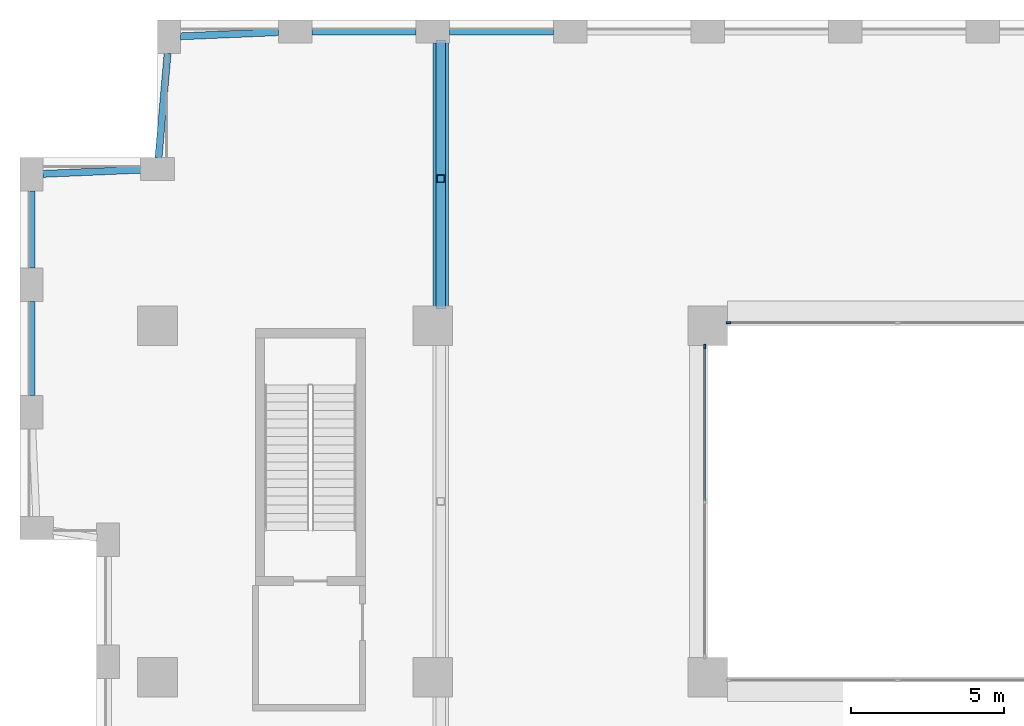
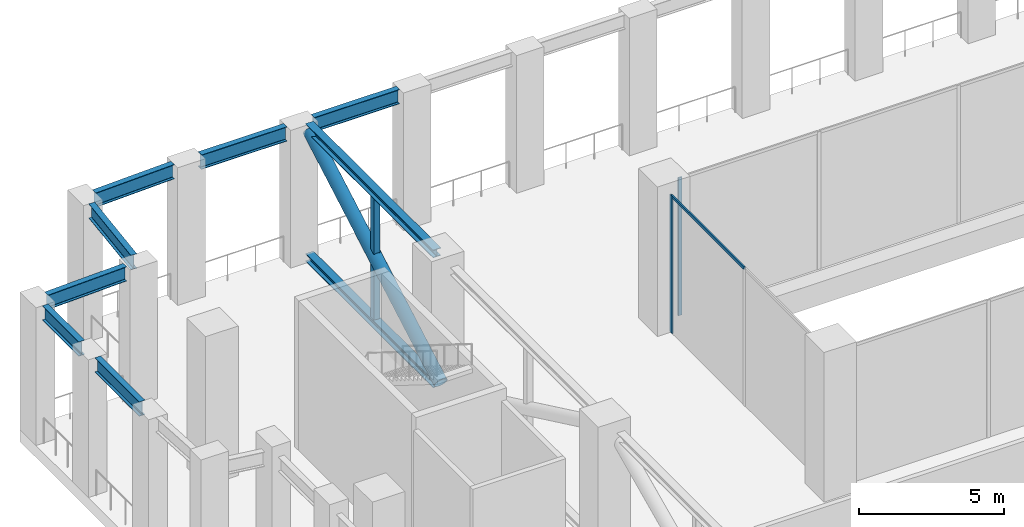
# One storey, part 6 of 14: 8 members, 7 beams, 2 elements without a shape of their own.
"""IFC4 building model written with IfcOpenShell, lengths in metres."""

from ifc_helpers import new_model, si_unit, direction, frame, origin, origin_2d, place, context, subcontext, project, spatial, rectangle, hollow_rectangle, hollow_circle, i_section, extrude, material, layer, layer_set, material_profile, profile_set, type_object, element, aggregate, save


model = new_model("IFC4")

# Units and contexts
model_context = context("Model", 3, precision=1e-05, world=origin(), true_north=direction((0.0, 1.0)))
body_context = subcontext(model_context, "Body", "Model", "MODEL_VIEW")
ifc_project = project(units=[si_unit("LENGTHUNIT", "METRE"), si_unit("AREAUNIT", "SQUARE_METRE"), si_unit("VOLUMEUNIT", "CUBIC_METRE"), si_unit("PLANEANGLEUNIT", "RADIAN"), si_unit("MASSUNIT", "GRAM", prefix="KILO")], contexts=[model_context])

# Site, building, storey
site_placement = place(None, origin())
site = spatial("IfcSite", under=ifc_project, at=site_placement, CompositionType="ELEMENT")
building_placement = place(site_placement, origin())
building = spatial("IfcBuilding", under=site, at=building_placement, Name="Brigalow Station Residences", CompositionType="ELEMENT")
storey_placement = place(building_placement, frame((0.0, 0.0, 130.800048828125)))
storey = spatial("IfcBuildingStorey", under=building, at=storey_placement, Name="L38", CompositionType="ELEMENT", Elevation=130.800048828125)

# Curtain wall, member
ifc_material_1 = material(Name="Aluminium", Category="aluminium")
ifc_layer = layer(ifc_material_1, 0.14990234375)
ifc_layer_set = layer_set([ifc_layer], Name="ATRIUM FIRE-RATED GLAZING CURTAIN WALL")
curtain_wall_type = type_object("IfcCurtainWallType", Name="ATRIUM FIRE-RATED GLAZING CURTAIN WALL", PredefinedType="NOTDEFINED", material=ifc_layer_set)
curtain_wall_1_placement = place(storey_placement, origin())
curtain_wall_1 = element("IfcCurtainWall", 1, at=curtain_wall_1_placement, inside=storey, type_object=curtain_wall_type, Name="L38/cw/atrium-N", PredefinedType="NOTDEFINED")
ifc_material_2 = material(Name="Aluminium", Category="aluminium")
ifc_material_profile_1 = material_profile(ifc_material_2, rectangle(XDim=0.06005859375, YDim=0.14990234375, at=origin_2d()), Name="ATRIUM FIRE-RATED GLAZING MULLION 60x150")
ifc_profile_set_1 = profile_set([ifc_material_profile_1], Name="Aluminium")
member_type_1 = type_object("IfcMemberType", Name="ATRIUM FIRE-RATED GLAZING MULLION 60x150", PredefinedType="MULLION", material=ifc_profile_set_1)
member_1_placement = place(storey_placement, frame((27.679931640625, 35.60009765625, 0.0), z_axis=(0.0, 0.0, 1.0), x_axis=(0.0, -1.0, 0.0)))
member_1 = element("IfcMember", 2, at=member_1_placement, type_object=member_type_1, Name="L38/cw/atrium-N/M03", PredefinedType="MULLION", context=body_context, shape_type="SweptSolid", body=[
    extrude(rectangle(XDim=0.06005859375, YDim=0.14990234375, at=origin_2d()), origin(), (0.0, 0.0, 1.0), 5.800048828125),
])
aggregate(curtain_wall_1, [member_1])

# Curtain wall, members
curtain_wall_2_placement = place(storey_placement, origin())
curtain_wall_2 = element("IfcCurtainWall", 3, at=curtain_wall_2_placement, inside=storey, type_object=curtain_wall_type, Name="L38/cw/atrium-W", PredefinedType="NOTDEFINED")
member_2_placement = place(storey_placement, frame((26.89990234375, 34.820068359375, 0.0), z_axis=(0.0, 0.0, 1.0), x_axis=(1.0, 0.0, 0.0)))
member_2 = element("IfcMember", 4, at=member_2_placement, type_object=member_type_1, Name="L38/cw/atrium-W/M00", PredefinedType="MULLION", context=body_context, shape_type="SweptSolid", body=[
    extrude(rectangle(XDim=0.06005859375, YDim=0.14990234375, at=origin_2d()), origin(), (0.0, 0.0, 1.0), 5.800048828125),
])
ifc_material_3 = material(Name="Aluminium", Category="aluminium")
ifc_material_profile_2 = material_profile(ifc_material_3, rectangle(XDim=0.06005859375, YDim=0.1201171875, at=origin_2d()), Name="ATRIUM FIRE-RATED GLAZING TRANSOM 60x120")
ifc_profile_set_2 = profile_set([ifc_material_profile_2], Name="Aluminium")
member_type_2 = type_object("IfcMemberType", Name="ATRIUM FIRE-RATED GLAZING TRANSOM 60x120", PredefinedType="USERDEFINED", material=ifc_profile_set_2)
member_3_placement = place(storey_placement, frame((26.89990234375, 34.7900390625, 5.77001953125), z_axis=(0.0, -1.0, 0.0), x_axis=(1.0, 0.0, 0.0)))
member_3 = element("IfcMember", 5, at=member_3_placement, type_object=member_type_2, Name="L38/cw/atrium-W/T00-00", ObjectType="TRANSOM", PredefinedType="USERDEFINED", context=body_context, shape_type="SweptSolid", body=[
    extrude(rectangle(XDim=0.06005859375, YDim=0.1201171875, at=origin_2d()), origin(), (0.0, 0.0, 1.0), 5.010009765625),
])
aggregate(curtain_wall_2, [member_2, member_3])

# Beams
ifc_material_4 = material(Name="Steel Grade 300 to AS/NZS 3679.1", Category="steel")
ifc_material_profile_3 = material_profile(ifc_material_4, i_section(OverallWidth=0.22900390625, OverallDepth=0.611572265625, WebThickness=0.011962890625, FlangeThickness=0.01953125, FilletRadius=0.013916015625, at=origin_2d()), Name="610UB125")
ifc_profile_set_3 = profile_set([ifc_material_profile_3], Name="Steel Grade 300 to AS/NZS 3679.1")
beam_type = type_object("IfcBeamType", Name="BELT GIRDER 610UB125", PredefinedType="USERDEFINED", material=ifc_profile_set_3)
for number, where, z_axis, x_axis, name in (
    (6, (21.949951171875, 45.125, 5.494140625), (-1.0, 0.0, 0.0), (0.0, -1.0, 0.0), "BELT GIRDER 31 L38"),
    (7, (17.449951171875, 45.125, 5.494140625), (-1.0, 0.0, 0.0), (0.0, -1.0, 0.0), "BELT GIRDER 32 L38"),
):
    element("IfcBeam", number, at=place(storey_placement, frame(where, z_axis=z_axis, x_axis=x_axis)), inside=storey, type_object=beam_type, Name=name, ObjectType="BELT GIRDER", PredefinedType="USERDEFINED", context=body_context, shape_type="SweptSolid", body=[
        extrude(i_section(OverallWidth=0.22900390625, OverallDepth=0.611572265625, WebThickness=0.011962890625, FlangeThickness=0.01953125, FilletRadius=0.013916015625, at=origin_2d()), origin(), (0.0, 0.0, 1.0), 3.39990234375),
    ])
beam_1_placement = place(storey_placement, frame((12.955078125, 45.101806640625, 5.494140625), z_axis=(-0.999103857831, -0.042325893582, 0.0), x_axis=(0.042325893582, -0.999103857831, 0.0)))
element("IfcBeam", 8, at=beam_1_placement, inside=storey, type_object=beam_type, Name="BELT GIRDER 33 L38", ObjectType="BELT GIRDER", PredefinedType="USERDEFINED", context=body_context, shape_type="SweptSolid", body=[
    extrude(i_section(OverallWidth=0.22900390625, OverallDepth=0.611572265625, WebThickness=0.011962890625, FlangeThickness=0.01953125, FilletRadius=0.013916015625, at=origin_2d()), origin(), (0.0, 0.0, 1.0), 3.212890625),
])
beam_2_placement = place(storey_placement, frame((9.328125, 44.409912109375, 5.494140625), z_axis=(-0.086341124903, -0.996265632324, 0.0), x_axis=(0.996265632324, -0.086341124903, 0.0)))
element("IfcBeam", 9, at=beam_2_placement, inside=storey, type_object=beam_type, Name="BELT GIRDER 34 L38", ObjectType="BELT GIRDER", PredefinedType="USERDEFINED", context=body_context, shape_type="SweptSolid", body=[
    extrude(i_section(OverallWidth=0.22900390625, OverallDepth=0.611572265625, WebThickness=0.011962890625, FlangeThickness=0.01953125, FilletRadius=0.013916015625, at=origin_2d()), origin(), (0.0, 0.0, 1.0), 3.432861328125),
])
beam_3_placement = place(storey_placement, frame((8.455078125, 40.601806640625, 5.494140625), z_axis=(-0.999103857831, -0.042325893582, 0.0), x_axis=(0.042325893582, -0.999103857831, 0.0)))
element("IfcBeam", 10, at=beam_3_placement, inside=storey, type_object=beam_type, Name="BELT GIRDER 35 L38", ObjectType="BELT GIRDER", PredefinedType="USERDEFINED", context=body_context, shape_type="SweptSolid", body=[
    extrude(i_section(OverallWidth=0.22900390625, OverallDepth=0.611572265625, WebThickness=0.011962890625, FlangeThickness=0.01953125, FilletRadius=0.013916015625, at=origin_2d()), origin(), (0.0, 0.0, 1.0), 3.212890625),
])
beam_4_placement = place(storey_placement, frame((4.875, 39.89990234375, 5.494140625), z_axis=(0.0, -1.0, 0.0), x_axis=(1.0, 0.0, 0.0)))
element("IfcBeam", 11, at=beam_4_placement, inside=storey, type_object=beam_type, Name="BELT GIRDER 36 L38", ObjectType="BELT GIRDER", PredefinedType="USERDEFINED", context=body_context, shape_type="SweptSolid", body=[
    extrude(i_section(OverallWidth=0.22900390625, OverallDepth=0.611572265625, WebThickness=0.011962890625, FlangeThickness=0.01953125, FilletRadius=0.013916015625, at=origin_2d()), origin(), (0.0, 0.0, 1.0), 2.516845703125),
])
beam_5_placement = place(storey_placement, frame((4.875, 36.282958984375, 5.494140625), z_axis=(0.0, -1.0, 0.0), x_axis=(1.0, 0.0, 0.0)))
element("IfcBeam", 12, at=beam_5_placement, inside=storey, type_object=beam_type, Name="BELT GIRDER 37 L38", ObjectType="BELT GIRDER", PredefinedType="USERDEFINED", context=body_context, shape_type="SweptSolid", body=[
    extrude(i_section(OverallWidth=0.22900390625, OverallDepth=0.611572265625, WebThickness=0.011962890625, FlangeThickness=0.01953125, FilletRadius=0.013916015625, at=origin_2d()), origin(), (0.0, 0.0, 1.0), 3.06591796875),
])

# Members
ifc_material_5 = material(Name="Steel Grade C350L0 to AS/NZS 1163", Category="steel")
ifc_material_profile_4 = material_profile(ifc_material_5, hollow_circle(Radius=0.25390625, WallThickness=0.0126953125, at=origin_2d()), Name="508.0x12.7CHS")
ifc_profile_set_4 = profile_set([ifc_material_profile_4], Name="Steel Grade C350L0 to AS/NZS 1163")
member_type_3 = type_object("IfcMemberType", Name="OUTRIGGER BRACE 508.0x12.7CHS", PredefinedType="BRACE", material=ifc_profile_set_4)
member_4_placement = place(storey_placement, frame((18.260009765625, 35.78759765625, 0.3271484375), z_axis=(0.0, 0.869309086807, 0.494268865694), x_axis=(-1.0, 0.0, 0.0)))
element("IfcMember", 13, at=member_4_placement, inside=storey, type_object=member_type_3, Name="OUTRIGGER BRACE W3 L38", PredefinedType="BRACE", context=body_context, shape_type="SweptSolid", body=[
    extrude(hollow_circle(Radius=0.25390625, WallThickness=0.0126953125, at=origin_2d()), origin(), (0.0, 0.0, 1.0), 10.410400390625),
])
ifc_material_6 = material(Name="Steel Grade 300 to AS/NZS 3679.1", Category="steel")
ifc_material_profile_5 = material_profile(ifc_material_6, i_section(OverallWidth=0.31103515625, OverallDepth=0.3271484375, WebThickness=0.015625, FlangeThickness=0.02490234375, FilletRadius=0.0166015625, at=origin_2d()), Name="310UC158")
ifc_profile_set_5 = profile_set([ifc_material_profile_5], Name="Steel Grade 300 to AS/NZS 3679.1")
member_type_4 = type_object("IfcMemberType", Name="OUTRIGGER CHORD 310UC158", PredefinedType="CHORD", material=ifc_profile_set_5)
for number, where, z_axis, x_axis, name in (
    (14, (18.260009765625, 36.050048828125, 0.16357421875), (0.0, 1.0, 0.0), (-1.0, 0.0, 0.0), "OUTRIGGER CHORD W LOWER 3 L38"),
    (15, (18.260009765625, 36.050048828125, 5.63623046875), (0.0, 1.0, 0.0), (-1.0, 0.0, 0.0), "OUTRIGGER CHORD W UPPER 3 L38"),
):
    element("IfcMember", number, at=place(storey_placement, frame(where, z_axis=z_axis, x_axis=x_axis)), inside=storey, type_object=member_type_4, Name=name, PredefinedType="CHORD", context=body_context, shape_type="SweptSolid", body=[
        extrude(i_section(OverallWidth=0.31103515625, OverallDepth=0.3271484375, WebThickness=0.015625, FlangeThickness=0.02490234375, FilletRadius=0.0166015625, at=origin_2d()), origin(), (0.0, 0.0, 1.0), 8.800048828125),
    ])
ifc_material_7 = material(Name="Steel Grade C450L0 to AS/NZS 1163", Category="steel")
ifc_material_profile_6 = material_profile(ifc_material_7, hollow_rectangle(XDim=0.25, YDim=0.25, WallThickness=0.009033203125, InnerFilletRadius=0.013427734375, OuterFilletRadius=0.0224609375, at=origin_2d()), Name="250x250x9.0SHS")
ifc_profile_set_6 = profile_set([ifc_material_profile_6], Name="Steel Grade C450L0 to AS/NZS 1163")
member_type_5 = type_object("IfcMemberType", Name="OUTRIGGER POST 250x250x9.0SHS", PredefinedType="POST", material=ifc_profile_set_6)
for number, where, z_axis, x_axis, name in (
    (16, (18.260009765625, 40.3125, 0.3271484375), (0.0, 0.0, 1.0), (1.0, 0.0, 0.0), "OUTRIGGER POST W3L L38"),
    (17, (18.260009765625, 40.3125, 2.89990234375), (0.0, 0.0, 1.0), (1.0, 0.0, 0.0), "OUTRIGGER POST W3U L38"),
):
    element("IfcMember", number, at=place(storey_placement, frame(where, z_axis=z_axis, x_axis=x_axis)), inside=storey, type_object=member_type_5, Name=name, PredefinedType="POST", context=body_context, shape_type="SweptSolid", body=[
        extrude(hollow_rectangle(XDim=0.25, YDim=0.25, WallThickness=0.009033203125, InnerFilletRadius=0.013427734375, OuterFilletRadius=0.0224609375, at=origin_2d()), origin(), (0.0, 0.0, 1.0), 2.57275390625),
    ])

save(model, "model.ifc")
